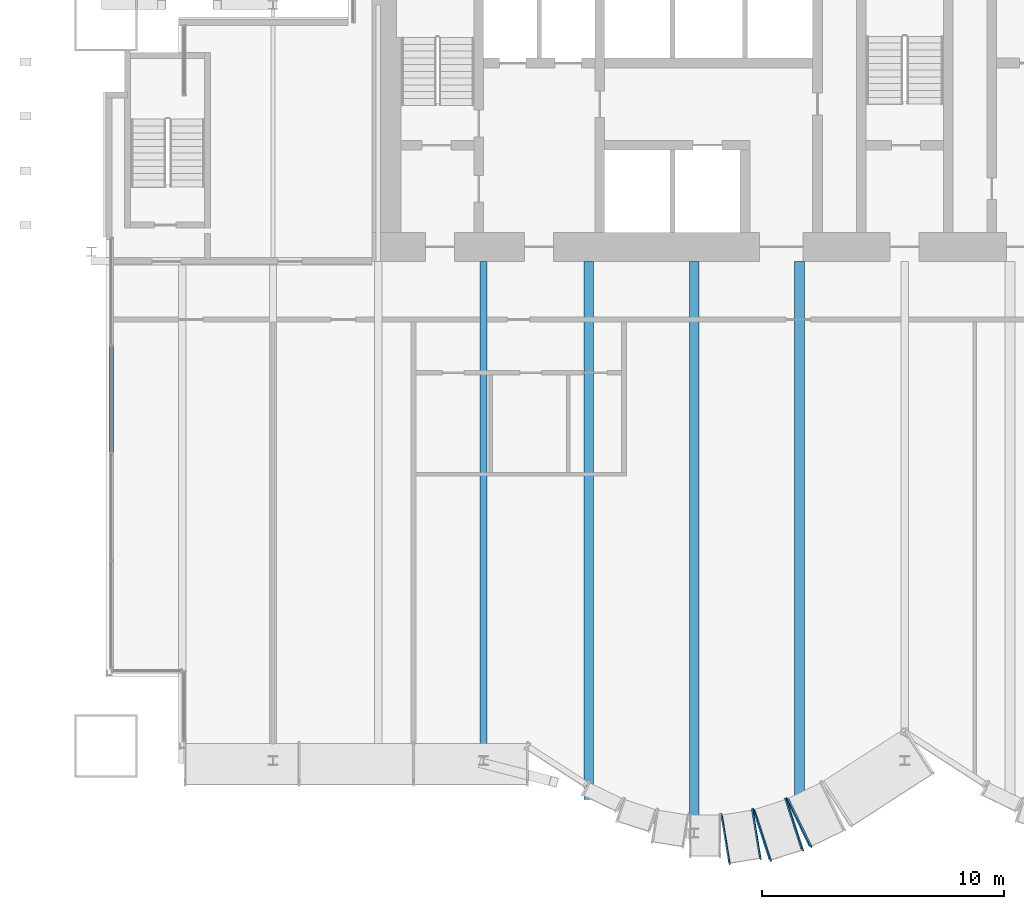
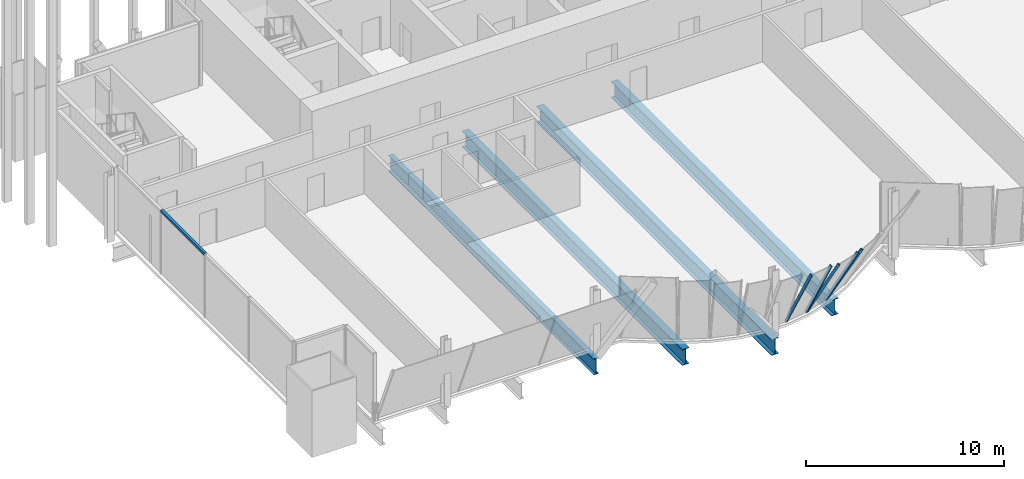
# One storey, part 6 of 33: 6 members, 4 beams, 4 elements without a shape of their own.
"""IFC4 building model written with IfcOpenShell, lengths in metres."""

from ifc_helpers import new_model, si_unit, direction, frame, origin, origin_2d, place, context, subcontext, project, spatial, rectangle, i_section, extrude, material, material_profile, profile_set, type_object, element, aggregate, save


model = new_model("IFC4")

# Units and contexts
model_context = context("Model", 3, precision=1e-05, world=origin(), true_north=direction((0.0, 1.0)))
body_context = subcontext(model_context, "Body", "Model", "MODEL_VIEW")
ifc_project = project(units=[si_unit("LENGTHUNIT", "METRE"), si_unit("AREAUNIT", "SQUARE_METRE"), si_unit("VOLUMEUNIT", "CUBIC_METRE"), si_unit("PLANEANGLEUNIT", "RADIAN"), si_unit("MASSUNIT", "GRAM", prefix="KILO")], contexts=[model_context])

# Site, building, storey
site_placement = place(None, origin())
site = spatial("IfcSite", under=ifc_project, at=site_placement, CompositionType="ELEMENT")
building_placement = place(site_placement, origin())
building = spatial("IfcBuilding", under=site, at=building_placement, Name="Bicima Exchange Tower", CompositionType="ELEMENT")
storey_placement = place(building_placement, frame((0.0, 0.0, 140.39990234375)))
storey = spatial("IfcBuildingStorey", under=building, at=storey_placement, Name="L30", CompositionType="ELEMENT", Elevation=140.39990234375)

# Curtain wall, member
ifc_material_1 = material(Name="Anodised bronze aluminium", Category="aluminium")
curtain_wall_type_1 = type_object("IfcCurtainWallType", Name="End face glass wall", PredefinedType="NOTDEFINED", material=ifc_material_1)
curtain_wall_1_placement = place(storey_placement, origin())
curtain_wall_1 = element("IfcCurtainWall", 1, at=curtain_wall_1_placement, inside=storey, type_object=curtain_wall_type_1, Name="End face glass wall L30 run 6", PredefinedType="NOTDEFINED")
ifc_material_profile_1 = material_profile(ifc_material_1, rectangle(XDim=0.159912109375, YDim=0.139892578125, at=origin_2d()))
ifc_profile_set_1 = profile_set([ifc_material_profile_1], Name="Anodised bronze aluminium")
member_type_1 = type_object("IfcMemberType", Name="End face glass wall transom 140 x 160", PredefinedType="USERDEFINED", material=ifc_profile_set_1)
member_1_placement = place(storey_placement, frame((-32.77001953125, -16.50341796875, 3.880126953125), z_axis=(0.0, -1.0, 0.0), x_axis=(1.0, 0.0, 0.0)))
member_1 = element("IfcMember", 2, at=member_1_placement, type_object=member_type_1, Name="End face glass wall transom 2.1", ObjectType="TRANSOM", PredefinedType="USERDEFINED", context=body_context, shape_type="SweptSolid", body=[
    extrude(rectangle(XDim=0.159912109375, YDim=0.139892578125, at=origin_2d()), origin(), (0.0, 0.0, 1.0), 4.383544921875),
])
aggregate(curtain_wall_1, [member_1])

# Beams
ifc_material_2 = material(Name="Steel ASTM A992 Gr 50", Category="steel")
ifc_material_profile_2 = material_profile(ifc_material_2, i_section(OverallWidth=0.2998046875, OverallDepth=0.97021484375, WebThickness=0.01611328125, FlangeThickness=0.02099609375, at=origin_2d()))
ifc_profile_set_2 = profile_set([ifc_material_profile_2], Name="Steel ASTM A992 Gr 50")
beam_type_1 = type_object("IfcBeamType", Name="Floor beam W40x149", PredefinedType="JOIST", material=ifc_profile_set_2)
beam_1_placement = place(storey_placement, frame((-17.39990234375, -13.0, -0.635009765625), z_axis=(0.0, -1.0, 0.0), x_axis=(1.0, 0.0, 0.0)))
element("IfcBeam", 3, at=beam_1_placement, inside=storey, type_object=beam_type_1, Name="Floor beam", PredefinedType="JOIST", context=body_context, shape_type="SweptSolid", body=[
    extrude(i_section(OverallWidth=0.2998046875, OverallDepth=0.97021484375, WebThickness=0.01611328125, FlangeThickness=0.02099609375, at=origin_2d()), origin(), (0.0, 0.0, 1.0), 20.743896484375),
])
ifc_material_profile_3 = material_profile(ifc_material_2, i_section(OverallWidth=0.4013671875, OverallDepth=0.990478515625, WebThickness=0.0166015625, FlangeThickness=0.031005859375, at=origin_2d()))
ifc_profile_set_3 = profile_set([ifc_material_profile_3], Name="Steel ASTM A992 Gr 50")
beam_type_2 = type_object("IfcBeamType", Name="Floor beam W40x215", PredefinedType="JOIST", material=ifc_profile_set_3)
beam_2_placement = place(storey_placement, frame((-13.050048828125, -13.0, -0.645263671875), z_axis=(0.0, -1.0, 0.0), x_axis=(1.0, 0.0, 0.0)))
element("IfcBeam", 4, at=beam_2_placement, inside=storey, type_object=beam_type_2, Name="Floor beam", PredefinedType="JOIST", context=body_context, shape_type="SweptSolid", body=[
    extrude(i_section(OverallWidth=0.4013671875, OverallDepth=0.990478515625, WebThickness=0.0166015625, FlangeThickness=0.031005859375, at=origin_2d()), origin(), (0.0, 0.0, 1.0), 22.239501953125),
])
beam_3_placement = place(storey_placement, frame((-8.699951171875, -13.0, -0.645263671875), z_axis=(0.0, -1.0, 0.0), x_axis=(1.0, 0.0, 0.0)))
element("IfcBeam", 5, at=beam_3_placement, inside=storey, type_object=beam_type_2, Name="Floor beam", PredefinedType="JOIST", context=body_context, shape_type="SweptSolid", body=[
    extrude(i_section(OverallWidth=0.4013671875, OverallDepth=0.990478515625, WebThickness=0.0166015625, FlangeThickness=0.031005859375, at=origin_2d()), origin(), (0.0, 0.0, 1.0), 23.735107421875),
])
beam_4_placement = place(storey_placement, frame((-4.35009765625, -13.0, -0.645263671875), z_axis=(0.0, -1.0, 0.0), x_axis=(1.0, 0.0, 0.0)))
element("IfcBeam", 6, at=beam_4_placement, inside=storey, type_object=beam_type_2, Name="Floor beam", PredefinedType="JOIST", context=body_context, shape_type="SweptSolid", body=[
    extrude(i_section(OverallWidth=0.4013671875, OverallDepth=0.990478515625, WebThickness=0.0166015625, FlangeThickness=0.031005859375, at=origin_2d()), origin(), (0.0, 0.0, 1.0), 22.239501953125),
])

# Curtain wall, members
curtain_wall_type_2 = type_object("IfcCurtainWallType", Name="Front glass wall", PredefinedType="NOTDEFINED", material=ifc_material_1)
curtain_wall_2_placement = place(storey_placement, origin())
curtain_wall_2 = element("IfcCurtainWall", 7, at=curtain_wall_2_placement, inside=storey, type_object=curtain_wall_type_2, Name="Canted glass wall L30 41.1", PredefinedType="NOTDEFINED")
ifc_material_profile_4 = material_profile(ifc_material_1, rectangle(XDim=0.159912109375, YDim=0.06005859375, at=origin_2d()))
ifc_profile_set_4 = profile_set([ifc_material_profile_4], Name="Anodised bronze aluminium")
member_type_2 = type_object("IfcMemberType", Name="Front glass wall mullion 60 x 160", PredefinedType="MULLION", material=ifc_profile_set_4)
member_2_placement = place(storey_placement, frame((-7.56298828125, -35.872314453125, 0.0), z_axis=(0.072379022508, -0.447714379714, 0.891242453712), x_axis=(-0.297936279173, 0.843080281656, 0.447715995064)))
member_2 = element("IfcMember", 8, at=member_2_placement, type_object=member_type_2, Name="Canted glass mullion 1", PredefinedType="MULLION", context=body_context, shape_type="SweptSolid", body=[
    extrude(rectangle(XDim=0.159912109375, YDim=0.06005859375, at=origin_2d()), origin(), (0.0, 0.0, 1.0), 4.43212890625),
])
member_3_placement = place(storey_placement, frame((-6.288330078125, -35.666259765625, 0.0), z_axis=(0.072379022508, -0.447714379714, 0.891242453712), x_axis=(-0.297936279173, 0.843080281656, 0.447715995064)))
member_3 = element("IfcMember", 9, at=member_3_placement, type_object=member_type_2, Name="Canted glass mullion 2", PredefinedType="MULLION", context=body_context, shape_type="SweptSolid", body=[
    extrude(rectangle(XDim=0.159912109375, YDim=0.06005859375, at=origin_2d()), origin(), (0.0, 0.0, 1.0), 4.43212890625),
])
aggregate(curtain_wall_2, [member_2, member_3])

curtain_wall_3_placement = place(storey_placement, origin())
curtain_wall_3 = element("IfcCurtainWall", 10, at=curtain_wall_3_placement, inside=storey, type_object=curtain_wall_type_2, Name="Canted glass wall L30 42.1", PredefinedType="NOTDEFINED")
member_4_placement = place(storey_placement, frame((-6.230224609375, -35.652099609375, 0.0), z_axis=(0.149085846677, -0.461312043344, 0.874622552297), x_axis=(-0.548603486377, 0.697305738941, 0.461301334459)))
member_4 = element("IfcMember", 11, at=member_4_placement, type_object=member_type_2, Name="Canted glass mullion 1", PredefinedType="MULLION", context=body_context, shape_type="SweptSolid", body=[
    extrude(rectangle(XDim=0.159912109375, YDim=0.06005859375, at=origin_2d()), origin(), (0.0, 0.0, 1.0), 4.516357421875),
])
member_5_placement = place(storey_placement, frame((-4.90234375, -35.222900390625, 0.0), z_axis=(0.149085846677, -0.461312043344, 0.874622552297), x_axis=(-0.548603486377, 0.697305738941, 0.461301334459)))
member_5 = element("IfcMember", 12, at=member_5_placement, type_object=member_type_2, Name="Canted glass mullion 2", PredefinedType="MULLION", context=body_context, shape_type="SweptSolid", body=[
    extrude(rectangle(XDim=0.159912109375, YDim=0.06005859375, at=origin_2d()), origin(), (0.0, 0.0, 1.0), 4.516357421875),
])
aggregate(curtain_wall_3, [member_4, member_5])

# Curtain wall, member
curtain_wall_4_placement = place(storey_placement, origin())
curtain_wall_4 = element("IfcCurtainWall", 13, at=curtain_wall_4_placement, inside=storey, type_object=curtain_wall_type_2, Name="Canted glass wall L30 43.1", PredefinedType="NOTDEFINED")
member_6_placement = place(storey_placement, frame((-4.8466796875, -35.20068359375, 0.0), z_axis=(0.211468405272, -0.436234670385, 0.874631594402), x_axis=(-0.735862958837, 0.517894230961, 0.436223877554)))
member_6 = element("IfcMember", 14, at=member_6_placement, type_object=member_type_2, Name="Canted glass mullion 1", PredefinedType="MULLION", context=body_context, shape_type="SweptSolid", body=[
    extrude(rectangle(XDim=0.159912109375, YDim=0.06005859375, at=origin_2d()), origin(), (0.0, 0.0, 1.0), 4.516357421875),
])
aggregate(curtain_wall_4, [member_6])

save(model, "model.ifc")
